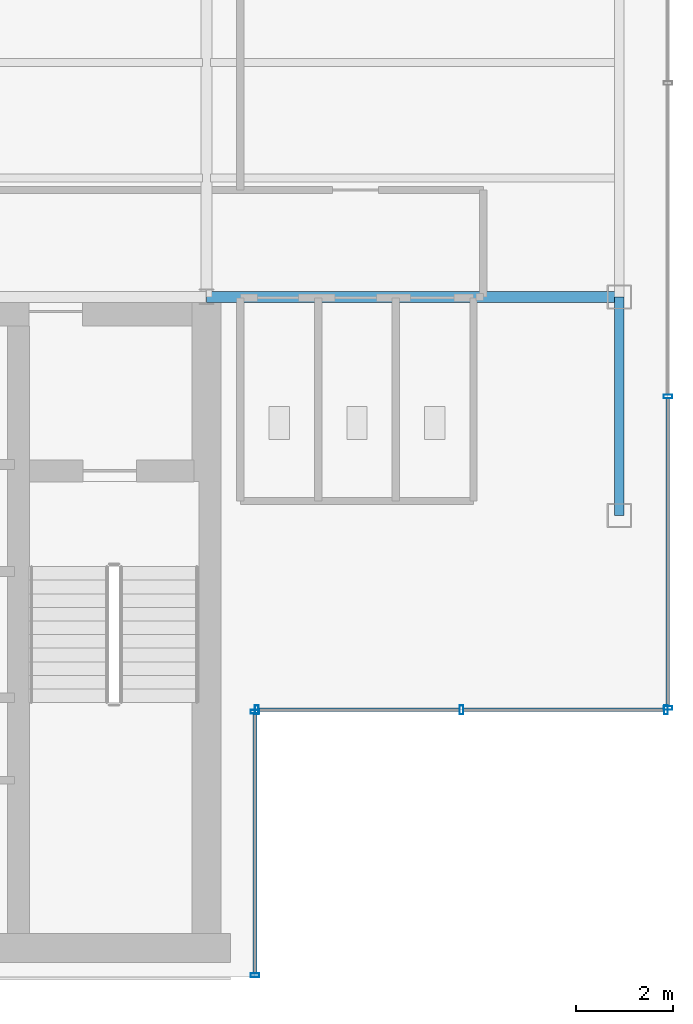
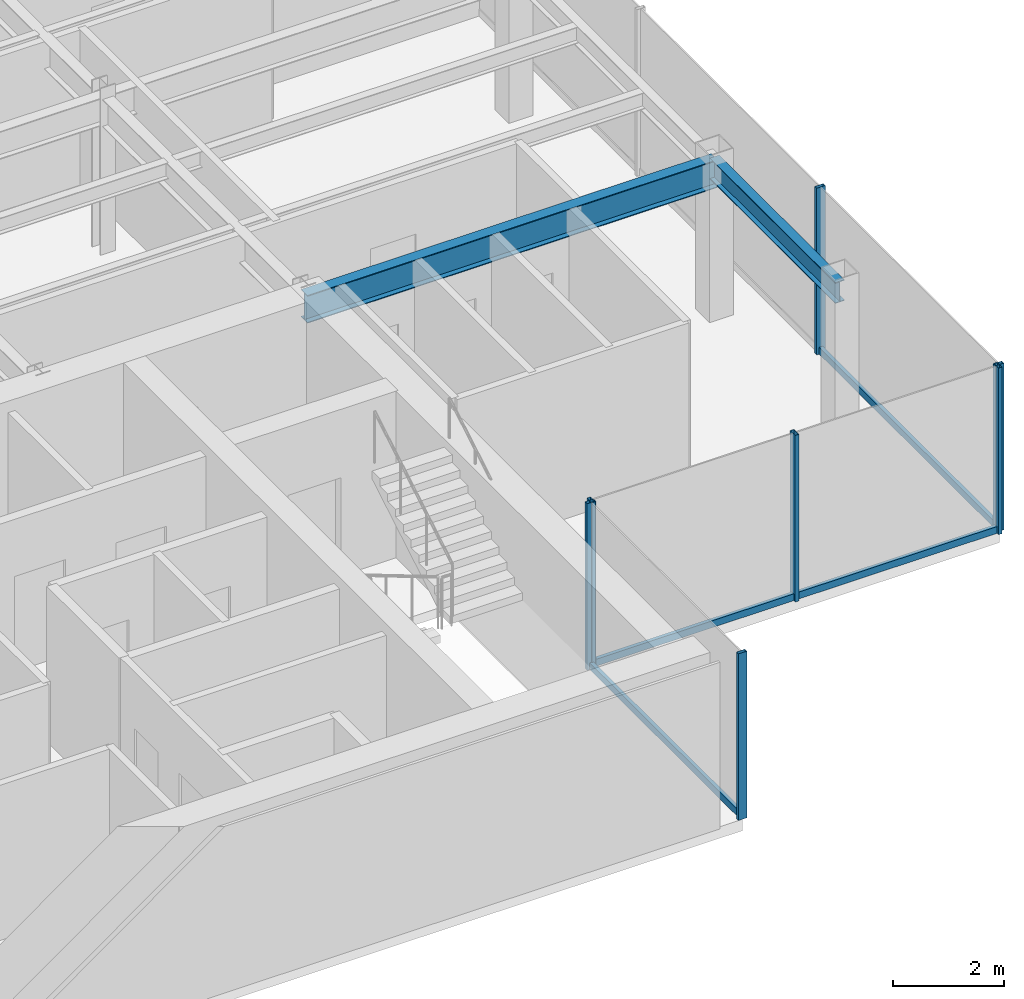
# One storey, part 9 of 22: 11 members, 2 beams, 3 elements without a shape of their own.
"""IFC4 building model written with IfcOpenShell, lengths in metres."""

from ifc_helpers import new_model, si_unit, derived_unit, direction, frame, origin, origin_2d, place, context, subcontext, project, spatial, hollow_rectangle, i_section, extrude, source, transform, mapped, material, material_profile, profile_set, type_object, element, aggregate, save


model = new_model("IFC4")

# Units and contexts
model_context = context("Model", 3, precision=1e-05, world=origin(), true_north=direction((0.0, 1.0)))
body_context = subcontext(model_context, "Body", "Model", "MODEL_VIEW")
ifc_project = project(units=[si_unit("LENGTHUNIT", "METRE"), si_unit("AREAUNIT", "SQUARE_METRE"), si_unit("VOLUMEUNIT", "CUBIC_METRE"), si_unit("PLANEANGLEUNIT", "RADIAN"), si_unit("MASSUNIT", "GRAM", prefix="KILO"), derived_unit("THERMALTRANSMITTANCEUNIT", [(si_unit("POWERUNIT", "WATT"), 1), (si_unit("LENGTHUNIT", "METRE"), -2), (si_unit("THERMODYNAMICTEMPERATUREUNIT", "KELVIN"), -1)])], contexts=[model_context])

# Site, building, storey
site_placement = place(None, origin())
site = spatial("IfcSite", under=ifc_project, at=site_placement, CompositionType="ELEMENT")
building_placement = place(site_placement, origin())
building = spatial("IfcBuilding", under=site, at=building_placement, Name="Skarnbrae Concourse Arena and Tower", CompositionType="ELEMENT")
storey_placement = place(building_placement, frame((0.0, 0.0, 210.5)))
storey = spatial("IfcBuildingStorey", under=building, at=storey_placement, Name="L54", CompositionType="ELEMENT", Elevation=210.5)

# Beams
ifc_material_1 = material(Name="Steel CSA G40.21 350W", Category="steel")
ifc_material_profile_1 = material_profile(ifc_material_1, i_section(OverallWidth=0.22802734375, OverallDepth=0.60791015625, WebThickness=0.01123046875, FlangeThickness=0.017333984375, at=origin_2d()), Name="W610X113")
ifc_profile_set_1 = profile_set([ifc_material_profile_1], Name="Steel CSA G40.21 350W")
beam_type_1 = type_object("IfcBeamType", Name="BM-GIRD-W610X113", PredefinedType="BEAM", material=ifc_profile_set_1)
shared_shape_1 = source(origin(), body_context, "Body", "SweptSolid", [
    extrude(i_section(OverallWidth=0.22802734375, OverallDepth=0.60791015625, WebThickness=0.01123046875, FlangeThickness=0.017333984375, at=origin_2d()), origin(), (0.0, 0.0, 1.0), 8.5),
])
beam_1_placement = place(storey_placement, frame((33.5, 14.0, 3.095947265625), z_axis=(1.0, 0.0, 0.0), x_axis=(0.0, 1.0, 0.0)))
element("IfcBeam", 1, at=beam_1_placement, inside=storey, type_object=beam_type_1, Name="L54 Primary E-W girder Y14.0-6", PredefinedType="BEAM", context=body_context, shape_type="MappedRepresentation", body=[
    mapped(shared_shape_1, transform((0.0, 0.0, 0.0))),
])
ifc_material_profile_2 = material_profile(ifc_material_1, i_section(OverallWidth=0.19091796875, OverallDepth=0.4599609375, WebThickness=0.010009765625, FlangeThickness=0.01611328125, at=origin_2d()), Name="W460X82")
ifc_profile_set_2 = profile_set([ifc_material_profile_2], Name="Steel CSA G40.21 350W")
beam_type_2 = type_object("IfcBeamType", Name="BM-SPAN-W460X82", PredefinedType="SPANDREL", material=ifc_profile_set_2)
shared_shape_2 = source(origin(), body_context, "Body", "SweptSolid", [
    extrude(i_section(OverallWidth=0.19091796875, OverallDepth=0.4599609375, WebThickness=0.010009765625, FlangeThickness=0.01611328125, at=origin_2d()), origin(), (0.0, 0.0, 1.0), 4.5),
])
beam_2_placement = place(storey_placement, frame((42.0, 9.5, 3.169921875), z_axis=(0.0, 1.0, 0.0), x_axis=(-1.0, 0.0, 0.0)))
element("IfcBeam", 2, at=beam_2_placement, inside=storey, type_object=beam_type_2, Name="L54 Perimeter spandrel X42.0-1", PredefinedType="SPANDREL", context=body_context, shape_type="MappedRepresentation", body=[
    mapped(shared_shape_2, transform((0.0, 0.0, 0.0))),
])

# Curtain wall, members
ifc_material_2 = material(Name="Bronze anodised aluminium 6063-T6", Category="aluminium")
curtain_wall_type = type_object("IfcCurtainWallType", Name="CW-SYS-05-HIGHZONE", PredefinedType="USERDEFINED", material=ifc_material_2)
curtain_wall_1_placement = place(storey_placement, origin())
curtain_wall_1 = element("IfcCurtainWall", 3, at=curtain_wall_1_placement, inside=storey, type_object=curtain_wall_type, Name="L54 Unitised curtain wall CW-L54-E02", ObjectType="UNITISED CURTAIN WALL", PredefinedType="USERDEFINED")
ifc_material_profile_3 = material_profile(ifc_material_2, hollow_rectangle(XDim=0.074951171875, YDim=0.179931640625, WallThickness=0.00390625, at=origin_2d()), Name="ALU-MULL-75X180")
ifc_profile_set_3 = profile_set([ifc_material_profile_3], Name="Bronze anodised aluminium 6063-T6")
member_type_1 = type_object("IfcMemberType", Name="CWM-CW-05", PredefinedType="MULLION", material=ifc_profile_set_3)
shared_shape_3 = source(origin(), body_context, "Body", "SweptSolid", [
    extrude(hollow_rectangle(XDim=0.074951171875, YDim=0.179931640625, WallThickness=0.00390625, at=origin_2d()), origin(), (0.0, 0.0, 1.0), 3.64990234375),
])
member_1_placement = place(storey_placement, frame((34.5, 0.03759765625, 0.0), z_axis=(0.0, 0.0, 1.0), x_axis=(0.0, 1.0, 0.0)))
member_1 = element("IfcMember", 4, at=member_1_placement, type_object=member_type_1, Name="CW-L54-E02 Mullion 1", PredefinedType="MULLION", context=body_context, shape_type="MappedRepresentation", body=[
    mapped(shared_shape_3, transform((0.0, 0.0, 0.0))),
])
member_2_placement = place(storey_placement, frame((34.5, 5.46240234375, 0.0), z_axis=(0.0, 0.0, 1.0), x_axis=(0.0, 1.0, 0.0)))
member_2 = element("IfcMember", 5, at=member_2_placement, type_object=member_type_1, Name="CW-L54-E02 Mullion 2", PredefinedType="MULLION", context=body_context, shape_type="MappedRepresentation", body=[
    mapped(shared_shape_3, transform((0.0, 0.0, 0.0))),
])

curtain_wall_2_placement = place(storey_placement, origin())
curtain_wall_2 = element("IfcCurtainWall", 6, at=curtain_wall_2_placement, inside=storey, type_object=curtain_wall_type, Name="L54 Unitised curtain wall CW-L54-E03", ObjectType="UNITISED CURTAIN WALL", PredefinedType="USERDEFINED")
member_3_placement = place(storey_placement, frame((34.53759765625, 5.5, 0.0), z_axis=(0.0, 0.0, 1.0), x_axis=(1.0, 0.0, 0.0)))
member_3 = element("IfcMember", 7, at=member_3_placement, type_object=member_type_1, Name="CW-L54-E03 Mullion 1", PredefinedType="MULLION", context=body_context, shape_type="MappedRepresentation", body=[
    mapped(shared_shape_3, transform((0.0, 0.0, 0.0))),
])
member_4_placement = place(storey_placement, frame((38.75, 5.5, 0.0), z_axis=(0.0, 0.0, 1.0), x_axis=(1.0, 0.0, 0.0)))
member_4 = element("IfcMember", 8, at=member_4_placement, type_object=member_type_1, Name="CW-L54-E03 Mullion 2", PredefinedType="MULLION", context=body_context, shape_type="MappedRepresentation", body=[
    mapped(shared_shape_3, transform((0.0, 0.0, 0.0))),
])
member_5_placement = place(storey_placement, frame((42.96240234375, 5.5, 0.0), z_axis=(0.0, 0.0, 1.0), x_axis=(1.0, 0.0, 0.0)))
member_5 = element("IfcMember", 9, at=member_5_placement, type_object=member_type_1, Name="CW-L54-E03 Mullion 3", PredefinedType="MULLION", context=body_context, shape_type="MappedRepresentation", body=[
    mapped(shared_shape_3, transform((0.0, 0.0, 0.0))),
])

curtain_wall_3_placement = place(storey_placement, origin())
curtain_wall_3 = element("IfcCurtainWall", 10, at=curtain_wall_3_placement, inside=storey, type_object=curtain_wall_type, Name="L54 Unitised curtain wall CW-L54-E04", ObjectType="UNITISED CURTAIN WALL", PredefinedType="USERDEFINED")
member_6_placement = place(storey_placement, frame((43.0, 5.53759765625, 0.0), z_axis=(0.0, 0.0, 1.0), x_axis=(0.0, 1.0, 0.0)))
member_6 = element("IfcMember", 11, at=member_6_placement, type_object=member_type_1, Name="CW-L54-E04 Mullion 1", PredefinedType="MULLION", context=body_context, shape_type="MappedRepresentation", body=[
    mapped(shared_shape_3, transform((0.0, 0.0, 0.0))),
])
member_7_placement = place(storey_placement, frame((43.0, 11.949951171875, 0.0), z_axis=(0.0, 0.0, 1.0), x_axis=(0.0, 1.0, 0.0)))
member_7 = element("IfcMember", 12, at=member_7_placement, type_object=member_type_1, Name="CW-L54-E04 Mullion 2", PredefinedType="MULLION", context=body_context, shape_type="MappedRepresentation", body=[
    mapped(shared_shape_3, transform((0.0, 0.0, 0.0))),
])

# Member
ifc_material_profile_4 = material_profile(ifc_material_2, hollow_rectangle(XDim=0.074951171875, YDim=0.14990234375, WallThickness=0.00390625, at=origin_2d()), Name="ALU-TRAN-75X150")
ifc_profile_set_4 = profile_set([ifc_material_profile_4], Name="Bronze anodised aluminium 6063-T6")
member_type_2 = type_object("IfcMemberType", Name="CWT-CW-05", PredefinedType="USERDEFINED", material=ifc_profile_set_4)
shared_shape_4 = source(origin(), body_context, "Body", "SweptSolid", [
    extrude(hollow_rectangle(XDim=0.074951171875, YDim=0.14990234375, WallThickness=0.00390625, at=origin_2d()), origin(), (0.0, 0.0, 1.0), 5.35009765625),
])
member_8_placement = place(storey_placement, frame((34.5, 0.074951171875, 0.074951171875), z_axis=(0.0, 1.0, 0.0), x_axis=(-1.0, 0.0, 0.0)))
member_8 = element("IfcMember", 13, at=member_8_placement, type_object=member_type_2, Name="CW-L54-E02 Transom 1", ObjectType="TRANSOM", PredefinedType="USERDEFINED", context=body_context, shape_type="MappedRepresentation", body=[
    mapped(shared_shape_4, transform((0.0, 0.0, 0.0))),
])

aggregate(curtain_wall_1, [member_1, member_2, member_8])

shared_shape_5 = source(origin(), body_context, "Body", "SweptSolid", [
    extrude(hollow_rectangle(XDim=0.074951171875, YDim=0.14990234375, WallThickness=0.00390625, at=origin_2d()), origin(), (0.0, 0.0, 1.0), 4.137451171875),
])
member_9_placement = place(storey_placement, frame((34.574951171875, 5.5, 0.074951171875), z_axis=(1.0, 0.0, 0.0), x_axis=(0.0, 1.0, 0.0)))
member_9 = element("IfcMember", 14, at=member_9_placement, type_object=member_type_2, Name="CW-L54-E03 Transom 1", ObjectType="TRANSOM", PredefinedType="USERDEFINED", context=body_context, shape_type="MappedRepresentation", body=[
    mapped(shared_shape_5, transform((0.0, 0.0, 0.0))),
])

member_10_placement = place(storey_placement, frame((38.78759765625, 5.5, 0.074951171875), z_axis=(1.0, 0.0, 0.0), x_axis=(0.0, 1.0, 0.0)))
member_10 = element("IfcMember", 15, at=member_10_placement, type_object=member_type_2, Name="CW-L54-E03 Transom 2", ObjectType="TRANSOM", PredefinedType="USERDEFINED", context=body_context, shape_type="MappedRepresentation", body=[
    mapped(shared_shape_5, transform((0.0, 0.0, 0.0))),
])

aggregate(curtain_wall_2, [member_3, member_4, member_5, member_9, member_10])

shared_shape_6 = source(origin(), body_context, "Body", "SweptSolid", [
    extrude(hollow_rectangle(XDim=0.074951171875, YDim=0.14990234375, WallThickness=0.00390625, at=origin_2d()), origin(), (0.0, 0.0, 1.0), 6.337646484375),
])
member_11_placement = place(storey_placement, frame((43.0, 5.574951171875, 0.074951171875), z_axis=(0.0, 1.0, 0.0), x_axis=(-1.0, 0.0, 0.0)))
member_11 = element("IfcMember", 16, at=member_11_placement, type_object=member_type_2, Name="CW-L54-E04 Transom 1", ObjectType="TRANSOM", PredefinedType="USERDEFINED", context=body_context, shape_type="MappedRepresentation", body=[
    mapped(shared_shape_6, transform((0.0, 0.0, 0.0))),
])

aggregate(curtain_wall_3, [member_6, member_7, member_11])

save(model, "model.ifc")
